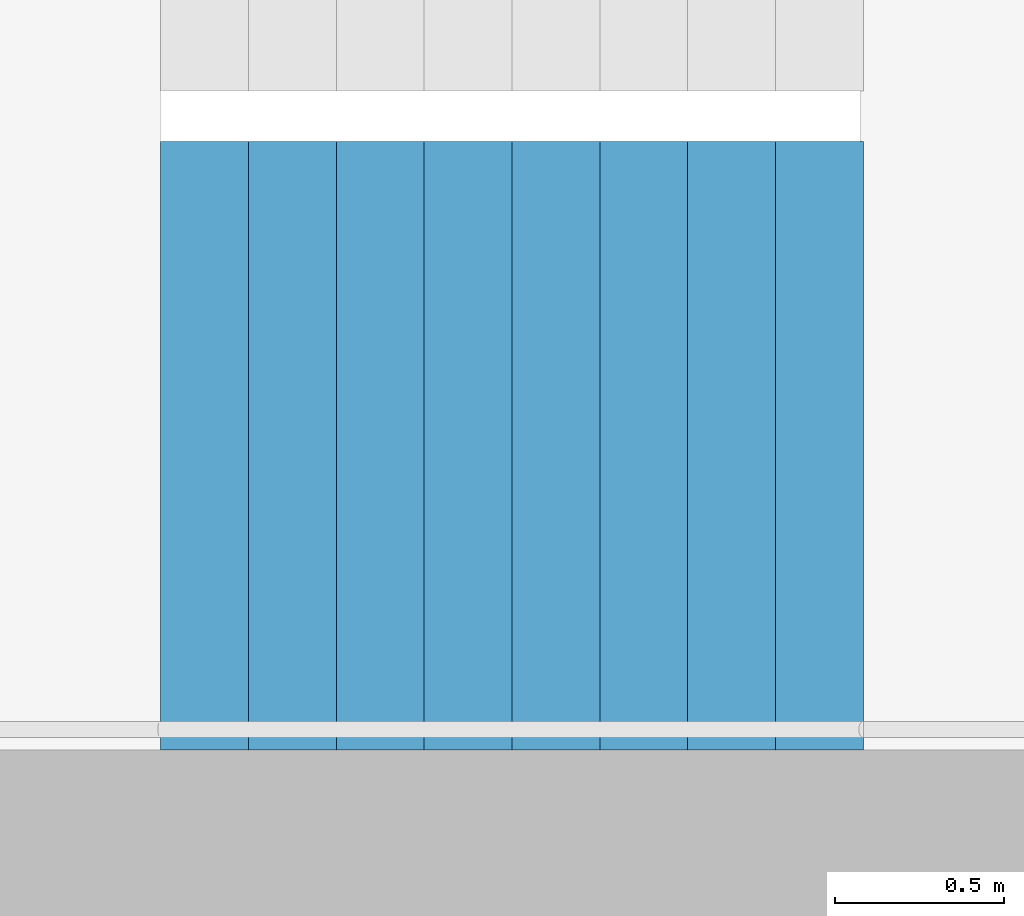
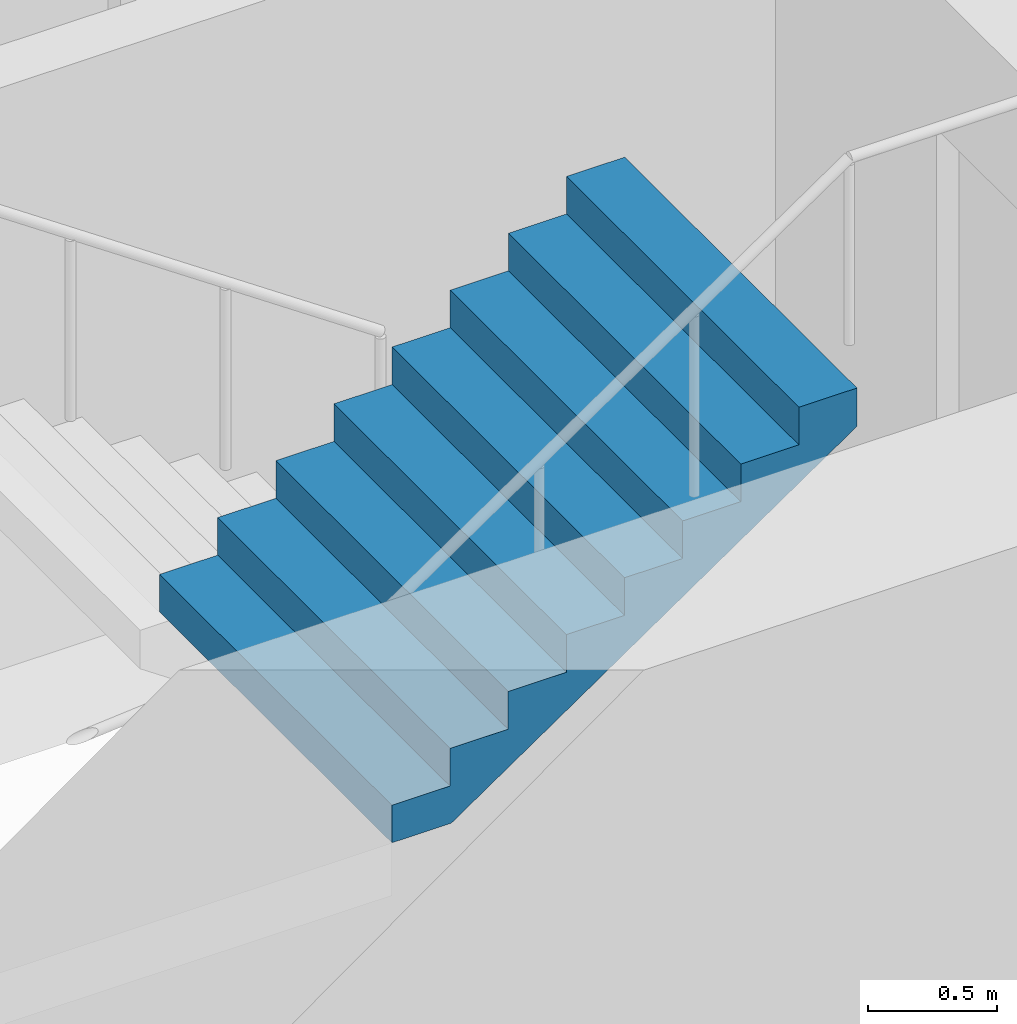
# One storey, part 18 of 26: 1 stair flight, 1 element without a shape of its own.
"""IFC4 building model written with IfcOpenShell, lengths in metres."""

from ifc_helpers import new_model, si_unit, direction, frame, origin, place, context, subcontext, project, spatial, triangles, material, type_object, element, aggregate, save


model = new_model("IFC4")

# Units and contexts
model_context = context("Model", 3, precision=1e-05, world=origin(), true_north=direction((0.0, 1.0)))
body_context = subcontext(model_context, "Body", "Model", "MODEL_VIEW")
ifc_project = project(units=[si_unit("LENGTHUNIT", "METRE"), si_unit("AREAUNIT", "SQUARE_METRE"), si_unit("VOLUMEUNIT", "CUBIC_METRE"), si_unit("PLANEANGLEUNIT", "RADIAN"), si_unit("MASSUNIT", "GRAM", prefix="KILO")], contexts=[model_context])

# Site, building, storey
site_placement = place(None, origin())
site = spatial("IfcSite", under=ifc_project, at=site_placement, CompositionType="ELEMENT")
building_placement = place(site_placement, origin())
building = spatial("IfcBuilding", under=site, at=building_placement, Name="Hakoniwa Tower and Hamabe Station Hall", CompositionType="ELEMENT")
storey_placement = place(building_placement, frame((0.0, 0.0, 153.39990234375)))
storey = spatial("IfcBuildingStorey", under=building, at=storey_placement, Name="L43", CompositionType="ELEMENT", Elevation=153.39990234375)

# Stair, stair flight
ifc_material_1 = material(Name="Concrete C40", Category="concrete")
stair_type = type_object("IfcStairType", Name="ESCAPE STAIR 1800", PredefinedType="HALF_TURN_STAIR", material=ifc_material_1)
stair_placement = place(storey_placement, origin())
stair = element("IfcStair", 1, at=stair_placement, inside=storey, type_object=stair_type, Name="Escape stair ST-2 L43", PredefinedType="HALF_TURN_STAIR")
ifc_material_2 = material(Name="Concrete C40", Category="concrete")
stair_flight_type = type_object("IfcStairFlightType", Name="STAIR FLIGHT 1800", PredefinedType="STRAIGHT", material=ifc_material_2)
stair_flight_placement = place(storey_placement, frame((-25.47998046875, -6.60009765625, 1.60009765625), z_axis=(0.0, 0.0, 1.0), x_axis=(1.0, 0.0, 0.0)))
stair_flight = element("IfcStairFlight", 2, at=stair_flight_placement, type_object=stair_flight_type, Name="ST-2 flight 2", NumberOfRisers=9, NumberOfTreads=8, PredefinedType="STRAIGHT", RiserHeight=0.177777778, TreadLength=0.26, context=body_context, shape_type="Tessellation", body=[
    triangles([(0.0, 0.89990234375, 0.0), (0.260009765625, 0.89990234375, 0.0), (0.265625, 0.89990234375, 0.0), (0.52001953125, 0.89990234375, 0.174072265625), (0.780029296875, 0.89990234375, 0.351806640625), (1.0400390625, 0.89990234375, 0.529541015625), (1.300048828125, 0.89990234375, 0.707275390625), (1.56005859375, 0.89990234375, 0.885009765625), (1.820068359375, 0.89990234375, 1.062744140625), (2.080078125, 0.89990234375, 1.24072265625), (2.080078125, 0.89990234375, 1.422119140625), (1.820068359375, 0.89990234375, 1.422119140625), (1.820068359375, 0.89990234375, 1.244384765625), (1.56005859375, 0.89990234375, 1.244384765625), (1.56005859375, 0.89990234375, 1.066650390625), (1.300048828125, 0.89990234375, 1.066650390625), (1.300048828125, 0.89990234375, 0.888916015625), (1.0400390625, 0.89990234375, 0.888916015625), (1.0400390625, 0.89990234375, 0.711181640625), (0.780029296875, 0.89990234375, 0.711181640625), (0.780029296875, 0.89990234375, 0.533447265625), (0.52001953125, 0.89990234375, 0.533447265625), (0.52001953125, 0.89990234375, 0.35546875), (0.265625, 0.89990234375, 0.35546875), (0.260009765625, 0.89990234375, 0.35546875), (0.260009765625, 0.89990234375, 0.177734375), (0.0, 0.89990234375, 0.177734375), (0.0, 0.06005859375, 0.0), (0.260009765625, 0.06005859375, 0.0), (0.265625, 0.06005859375, 0.0), (0.52001953125, 0.06005859375, 0.174072265625), (0.780029296875, 0.06005859375, 0.351806640625), (1.0400390625, 0.06005859375, 0.529541015625), (1.300048828125, 0.06005859375, 0.707275390625), (1.56005859375, 0.06005859375, 0.885009765625), (1.820068359375, 0.06005859375, 1.062744140625), (2.080078125, 0.06005859375, 1.24072265625), (2.080078125, 0.06005859375, 1.422119140625), (1.820068359375, 0.06005859375, 1.422119140625), (1.820068359375, 0.06005859375, 1.244384765625), (1.56005859375, 0.06005859375, 1.244384765625), (1.56005859375, 0.06005859375, 1.066650390625), (1.300048828125, 0.06005859375, 1.066650390625), (1.300048828125, 0.06005859375, 0.888916015625), (1.0400390625, 0.06005859375, 0.888916015625), (1.0400390625, 0.06005859375, 0.711181640625), (0.780029296875, 0.06005859375, 0.711181640625), (0.780029296875, 0.06005859375, 0.533447265625), (0.52001953125, 0.06005859375, 0.533447265625), (0.52001953125, 0.06005859375, 0.35546875), (0.265625, 0.06005859375, 0.35546875), (0.260009765625, 0.06005859375, 0.35546875), (0.260009765625, 0.06005859375, 0.177734375), (0.0, 0.06005859375, 0.177734375), (0.0, 0.04296875, 0.0), (0.260009765625, 0.04296875, 0.0), (0.265625, 0.04296875, 0.0), (0.52001953125, 0.04296875, 0.174072265625), (0.780029296875, 0.04296875, 0.351806640625), (1.0400390625, 0.04296875, 0.529541015625), (1.300048828125, 0.04296875, 0.707275390625), (1.56005859375, 0.04296875, 0.885009765625), (1.820068359375, 0.04296875, 1.062744140625), (2.080078125, 0.04296875, 1.24072265625), (2.080078125, 0.04296875, 1.422119140625), (1.820068359375, 0.04296875, 1.422119140625), (1.820068359375, 0.04296875, 1.244384765625), (1.56005859375, 0.04296875, 1.244384765625), (1.56005859375, 0.04296875, 1.066650390625), (1.300048828125, 0.04296875, 1.066650390625), (1.300048828125, 0.04296875, 0.888916015625), (1.0400390625, 0.04296875, 0.888916015625), (1.0400390625, 0.04296875, 0.711181640625), (0.780029296875, 0.04296875, 0.711181640625), (0.780029296875, 0.04296875, 0.533447265625), (0.52001953125, 0.04296875, 0.533447265625), (0.52001953125, 0.04296875, 0.35546875), (0.265625, 0.04296875, 0.35546875), (0.260009765625, 0.04296875, 0.35546875), (0.260009765625, 0.04296875, 0.177734375), (0.0, 0.04296875, 0.177734375), (0.0, 0.025634765625, 0.0), (0.260009765625, 0.025634765625, 0.0), (0.265625, 0.025634765625, 0.0), (0.52001953125, 0.025634765625, 0.174072265625), (0.780029296875, 0.025634765625, 0.351806640625), (1.0400390625, 0.025634765625, 0.529541015625), (1.300048828125, 0.025634765625, 0.707275390625), (1.56005859375, 0.025634765625, 0.885009765625), (1.820068359375, 0.025634765625, 1.062744140625), (2.080078125, 0.025634765625, 1.24072265625), (2.080078125, 0.025634765625, 1.422119140625), (1.820068359375, 0.025634765625, 1.422119140625), (1.820068359375, 0.025634765625, 1.244384765625), (1.56005859375, 0.025634765625, 1.244384765625), (1.56005859375, 0.025634765625, 1.066650390625), (1.300048828125, 0.025634765625, 1.066650390625), (1.300048828125, 0.025634765625, 0.888916015625), (1.0400390625, 0.025634765625, 0.888916015625), (1.0400390625, 0.025634765625, 0.711181640625), (0.780029296875, 0.025634765625, 0.711181640625), (0.780029296875, 0.025634765625, 0.533447265625), (0.52001953125, 0.025634765625, 0.533447265625), (0.52001953125, 0.025634765625, 0.35546875), (0.265625, 0.025634765625, 0.35546875), (0.260009765625, 0.025634765625, 0.35546875), (0.260009765625, 0.025634765625, 0.177734375), (0.0, 0.025634765625, 0.177734375), (0.0, 0.008544921875, 0.0), (0.260009765625, 0.008544921875, 0.0), (0.265625, 0.008544921875, 0.0), (0.52001953125, 0.008544921875, 0.174072265625), (0.780029296875, 0.008544921875, 0.351806640625), (1.0400390625, 0.008544921875, 0.529541015625), (1.300048828125, 0.008544921875, 0.707275390625), (1.56005859375, 0.008544921875, 0.885009765625), (1.820068359375, 0.008544921875, 1.062744140625), (2.080078125, 0.008544921875, 1.24072265625), (2.080078125, 0.008544921875, 1.422119140625), (1.820068359375, 0.008544921875, 1.422119140625), (1.820068359375, 0.008544921875, 1.244384765625), (1.56005859375, 0.008544921875, 1.244384765625), (1.56005859375, 0.008544921875, 1.066650390625), (1.300048828125, 0.008544921875, 1.066650390625), (1.300048828125, 0.008544921875, 0.888916015625), (1.0400390625, 0.008544921875, 0.888916015625), (1.0400390625, 0.008544921875, 0.711181640625), (0.780029296875, 0.008544921875, 0.711181640625), (0.780029296875, 0.008544921875, 0.533447265625), (0.52001953125, 0.008544921875, 0.533447265625), (0.52001953125, 0.008544921875, 0.35546875), (0.265625, 0.008544921875, 0.35546875), (0.260009765625, 0.008544921875, 0.35546875), (0.260009765625, 0.008544921875, 0.177734375), (0.0, 0.008544921875, 0.177734375), (0.0, -0.008544921875, 0.0), (0.260009765625, -0.008544921875, 0.0), (0.265625, -0.008544921875, 0.0), (0.52001953125, -0.008544921875, 0.174072265625), (0.780029296875, -0.008544921875, 0.351806640625), (1.0400390625, -0.008544921875, 0.529541015625), (1.300048828125, -0.008544921875, 0.707275390625), (1.56005859375, -0.008544921875, 0.885009765625), (1.820068359375, -0.008544921875, 1.062744140625), (2.080078125, -0.008544921875, 1.24072265625), (2.080078125, -0.008544921875, 1.422119140625), (1.820068359375, -0.008544921875, 1.422119140625), (1.820068359375, -0.008544921875, 1.244384765625), (1.56005859375, -0.008544921875, 1.244384765625), (1.56005859375, -0.008544921875, 1.066650390625), (1.300048828125, -0.008544921875, 1.066650390625), (1.300048828125, -0.008544921875, 0.888916015625), (1.0400390625, -0.008544921875, 0.888916015625), (1.0400390625, -0.008544921875, 0.711181640625), (0.780029296875, -0.008544921875, 0.711181640625), (0.780029296875, -0.008544921875, 0.533447265625), (0.52001953125, -0.008544921875, 0.533447265625), (0.52001953125, -0.008544921875, 0.35546875), (0.265625, -0.008544921875, 0.35546875), (0.260009765625, -0.008544921875, 0.35546875), (0.260009765625, -0.008544921875, 0.177734375), (0.0, -0.008544921875, 0.177734375), (0.0, -0.025634765625, 0.0), (0.260009765625, -0.025634765625, 0.0), (0.265625, -0.025634765625, 0.0), (0.52001953125, -0.025634765625, 0.174072265625), (0.780029296875, -0.025634765625, 0.351806640625), (1.0400390625, -0.025634765625, 0.529541015625), (1.300048828125, -0.025634765625, 0.707275390625), (1.56005859375, -0.025634765625, 0.885009765625), (1.820068359375, -0.025634765625, 1.062744140625), (2.080078125, -0.025634765625, 1.24072265625), (2.080078125, -0.025634765625, 1.422119140625), (1.820068359375, -0.025634765625, 1.422119140625), (1.820068359375, -0.025634765625, 1.244384765625), (1.56005859375, -0.025634765625, 1.244384765625), (1.56005859375, -0.025634765625, 1.066650390625), (1.300048828125, -0.025634765625, 1.066650390625), (1.300048828125, -0.025634765625, 0.888916015625), (1.0400390625, -0.025634765625, 0.888916015625), (1.0400390625, -0.025634765625, 0.711181640625), (0.780029296875, -0.025634765625, 0.711181640625), (0.780029296875, -0.025634765625, 0.533447265625), (0.52001953125, -0.025634765625, 0.533447265625), (0.52001953125, -0.025634765625, 0.35546875), (0.265625, -0.025634765625, 0.35546875), (0.260009765625, -0.025634765625, 0.35546875), (0.260009765625, -0.025634765625, 0.177734375), (0.0, -0.025634765625, 0.177734375), (0.0, -0.04296875, 0.0), (0.260009765625, -0.04296875, 0.0), (0.265625, -0.04296875, 0.0), (0.52001953125, -0.04296875, 0.174072265625), (0.780029296875, -0.04296875, 0.351806640625), (1.0400390625, -0.04296875, 0.529541015625), (1.300048828125, -0.04296875, 0.707275390625), (1.56005859375, -0.04296875, 0.885009765625), (1.820068359375, -0.04296875, 1.062744140625), (2.080078125, -0.04296875, 1.24072265625), (2.080078125, -0.04296875, 1.422119140625), (1.820068359375, -0.04296875, 1.422119140625), (1.820068359375, -0.04296875, 1.244384765625), (1.56005859375, -0.04296875, 1.244384765625), (1.56005859375, -0.04296875, 1.066650390625), (1.300048828125, -0.04296875, 1.066650390625), (1.300048828125, -0.04296875, 0.888916015625), (1.0400390625, -0.04296875, 0.888916015625), (1.0400390625, -0.04296875, 0.711181640625), (0.780029296875, -0.04296875, 0.711181640625), (0.780029296875, -0.04296875, 0.533447265625), (0.52001953125, -0.04296875, 0.533447265625), (0.52001953125, -0.04296875, 0.35546875), (0.265625, -0.04296875, 0.35546875), (0.260009765625, -0.04296875, 0.35546875), (0.260009765625, -0.04296875, 0.177734375), (0.0, -0.04296875, 0.177734375), (0.0, -0.06005859375, 0.0), (0.260009765625, -0.06005859375, 0.0), (0.265625, -0.06005859375, 0.0), (0.52001953125, -0.06005859375, 0.174072265625), (0.780029296875, -0.06005859375, 0.351806640625), (1.0400390625, -0.06005859375, 0.529541015625), (1.300048828125, -0.06005859375, 0.707275390625), (1.56005859375, -0.06005859375, 0.885009765625), (1.820068359375, -0.06005859375, 1.062744140625), (2.080078125, -0.06005859375, 1.24072265625), (2.080078125, -0.06005859375, 1.422119140625), (1.820068359375, -0.06005859375, 1.422119140625), (1.820068359375, -0.06005859375, 1.244384765625), (1.56005859375, -0.06005859375, 1.244384765625), (1.56005859375, -0.06005859375, 1.066650390625), (1.300048828125, -0.06005859375, 1.066650390625), (1.300048828125, -0.06005859375, 0.888916015625), (1.0400390625, -0.06005859375, 0.888916015625), (1.0400390625, -0.06005859375, 0.711181640625), (0.780029296875, -0.06005859375, 0.711181640625), (0.780029296875, -0.06005859375, 0.533447265625), (0.52001953125, -0.06005859375, 0.533447265625), (0.52001953125, -0.06005859375, 0.35546875), (0.265625, -0.06005859375, 0.35546875), (0.260009765625, -0.06005859375, 0.35546875), (0.260009765625, -0.06005859375, 0.177734375), (0.0, -0.06005859375, 0.177734375), (0.0, -0.89990234375, 0.0), (0.260009765625, -0.89990234375, 0.0), (0.265625, -0.89990234375, 0.0), (0.52001953125, -0.89990234375, 0.174072265625), (0.780029296875, -0.89990234375, 0.351806640625), (1.0400390625, -0.89990234375, 0.529541015625), (1.300048828125, -0.89990234375, 0.707275390625), (1.56005859375, -0.89990234375, 0.885009765625), (1.820068359375, -0.89990234375, 1.062744140625), (2.080078125, -0.89990234375, 1.24072265625), (2.080078125, -0.89990234375, 1.422119140625), (1.820068359375, -0.89990234375, 1.422119140625), (1.820068359375, -0.89990234375, 1.244384765625), (1.56005859375, -0.89990234375, 1.244384765625), (1.56005859375, -0.89990234375, 1.066650390625), (1.300048828125, -0.89990234375, 1.066650390625), (1.300048828125, -0.89990234375, 0.888916015625), (1.0400390625, -0.89990234375, 0.888916015625), (1.0400390625, -0.89990234375, 0.711181640625), (0.780029296875, -0.89990234375, 0.711181640625), (0.780029296875, -0.89990234375, 0.533447265625), (0.52001953125, -0.89990234375, 0.533447265625), (0.52001953125, -0.89990234375, 0.35546875), (0.265625, -0.89990234375, 0.35546875), (0.260009765625, -0.89990234375, 0.35546875), (0.260009765625, -0.89990234375, 0.177734375), (0.0, -0.89990234375, 0.177734375)], [[2, 27, 26], [245, 269, 270], [2, 1, 27], [245, 270, 244], [3, 25, 24], [246, 267, 268], [3, 26, 25], [246, 268, 269], [3, 2, 26], [246, 269, 245], [4, 24, 23], [247, 266, 267], [4, 3, 24], [247, 267, 246], [5, 22, 21], [248, 264, 265], [5, 23, 22], [248, 265, 266], [5, 4, 23], [248, 266, 247], [6, 20, 19], [249, 262, 263], [6, 21, 20], [249, 263, 264], [6, 5, 21], [249, 264, 248], [7, 18, 17], [250, 260, 261], [7, 19, 18], [250, 261, 262], [7, 6, 19], [250, 262, 249], [8, 16, 15], [251, 258, 259], [8, 17, 16], [251, 259, 260], [8, 7, 17], [251, 260, 250], [9, 14, 13], [252, 256, 257], [9, 15, 14], [252, 257, 258], [9, 8, 15], [252, 258, 251], [10, 12, 11], [253, 254, 255], [10, 13, 12], [253, 255, 256], [10, 9, 13], [253, 256, 252], [1, 2, 29], [1, 29, 28], [28, 29, 56], [28, 56, 55], [55, 56, 83], [55, 83, 82], [82, 83, 110], [82, 110, 109], [109, 110, 137], [109, 137, 136], [136, 137, 164], [136, 164, 163], [163, 164, 191], [163, 191, 190], [190, 191, 218], [190, 218, 217], [217, 218, 245], [217, 245, 244], [2, 3, 30], [2, 30, 29], [29, 30, 57], [29, 57, 56], [56, 57, 84], [56, 84, 83], [83, 84, 111], [83, 111, 110], [110, 111, 138], [110, 138, 137], [137, 138, 165], [137, 165, 164], [164, 165, 192], [164, 192, 191], [191, 192, 219], [191, 219, 218], [218, 219, 246], [218, 246, 245], [3, 4, 31], [3, 31, 30], [30, 31, 58], [30, 58, 57], [57, 58, 85], [57, 85, 84], [84, 85, 112], [84, 112, 111], [111, 112, 139], [111, 139, 138], [138, 139, 166], [138, 166, 165], [165, 166, 193], [165, 193, 192], [192, 193, 220], [192, 220, 219], [219, 220, 247], [219, 247, 246], [4, 5, 32], [4, 32, 31], [31, 32, 59], [31, 59, 58], [58, 59, 86], [58, 86, 85], [85, 86, 113], [85, 113, 112], [112, 113, 140], [112, 140, 139], [139, 140, 167], [139, 167, 166], [166, 167, 194], [166, 194, 193], [193, 194, 221], [193, 221, 220], [220, 221, 248], [220, 248, 247], [5, 6, 33], [5, 33, 32], [32, 33, 60], [32, 60, 59], [59, 60, 87], [59, 87, 86], [86, 87, 114], [86, 114, 113], [113, 114, 141], [113, 141, 140], [140, 141, 168], [140, 168, 167], [167, 168, 195], [167, 195, 194], [194, 195, 222], [194, 222, 221], [221, 222, 249], [221, 249, 248], [6, 7, 34], [6, 34, 33], [33, 34, 61], [33, 61, 60], [60, 61, 88], [60, 88, 87], [87, 88, 115], [87, 115, 114], [114, 115, 142], [114, 142, 141], [141, 142, 169], [141, 169, 168], [168, 169, 196], [168, 196, 195], [195, 196, 223], [195, 223, 222], [222, 223, 250], [222, 250, 249], [7, 8, 35], [7, 35, 34], [34, 35, 62], [34, 62, 61], [61, 62, 89], [61, 89, 88], [88, 89, 116], [88, 116, 115], [115, 116, 143], [115, 143, 142], [142, 143, 170], [142, 170, 169], [169, 170, 197], [169, 197, 196], [196, 197, 224], [196, 224, 223], [223, 224, 251], [223, 251, 250], [8, 9, 36], [8, 36, 35], [35, 36, 63], [35, 63, 62], [62, 63, 90], [62, 90, 89], [89, 90, 117], [89, 117, 116], [116, 117, 144], [116, 144, 143], [143, 144, 171], [143, 171, 170], [170, 171, 198], [170, 198, 197], [197, 198, 225], [197, 225, 224], [224, 225, 252], [224, 252, 251], [9, 10, 37], [9, 37, 36], [36, 37, 64], [36, 64, 63], [63, 64, 91], [63, 91, 90], [90, 91, 118], [90, 118, 117], [117, 118, 145], [117, 145, 144], [144, 145, 172], [144, 172, 171], [171, 172, 199], [171, 199, 198], [198, 199, 226], [198, 226, 225], [225, 226, 253], [225, 253, 252], [10, 11, 38], [10, 38, 37], [37, 38, 65], [37, 65, 64], [64, 65, 92], [64, 92, 91], [91, 92, 119], [91, 119, 118], [118, 119, 146], [118, 146, 145], [145, 146, 173], [145, 173, 172], [172, 173, 200], [172, 200, 199], [199, 200, 227], [199, 227, 226], [226, 227, 254], [226, 254, 253], [11, 12, 39], [11, 39, 38], [38, 39, 66], [38, 66, 65], [65, 66, 93], [65, 93, 92], [92, 93, 120], [92, 120, 119], [119, 120, 147], [119, 147, 146], [146, 147, 174], [146, 174, 173], [173, 174, 201], [173, 201, 200], [200, 201, 228], [200, 228, 227], [227, 228, 255], [227, 255, 254], [12, 13, 40], [12, 40, 39], [39, 40, 67], [39, 67, 66], [66, 67, 94], [66, 94, 93], [93, 94, 121], [93, 121, 120], [120, 121, 148], [120, 148, 147], [147, 148, 175], [147, 175, 174], [174, 175, 202], [174, 202, 201], [201, 202, 229], [201, 229, 228], [228, 229, 256], [228, 256, 255], [13, 14, 41], [13, 41, 40], [40, 41, 68], [40, 68, 67], [67, 68, 95], [67, 95, 94], [94, 95, 122], [94, 122, 121], [121, 122, 149], [121, 149, 148], [148, 149, 176], [148, 176, 175], [175, 176, 203], [175, 203, 202], [202, 203, 230], [202, 230, 229], [229, 230, 257], [229, 257, 256], [14, 15, 42], [14, 42, 41], [41, 42, 69], [41, 69, 68], [68, 69, 96], [68, 96, 95], [95, 96, 123], [95, 123, 122], [122, 123, 150], [122, 150, 149], [149, 150, 177], [149, 177, 176], [176, 177, 204], [176, 204, 203], [203, 204, 231], [203, 231, 230], [230, 231, 258], [230, 258, 257], [15, 16, 43], [15, 43, 42], [42, 43, 70], [42, 70, 69], [69, 70, 97], [69, 97, 96], [96, 97, 124], [96, 124, 123], [123, 124, 151], [123, 151, 150], [150, 151, 178], [150, 178, 177], [177, 178, 205], [177, 205, 204], [204, 205, 232], [204, 232, 231], [231, 232, 259], [231, 259, 258], [16, 17, 44], [16, 44, 43], [43, 44, 71], [43, 71, 70], [70, 71, 98], [70, 98, 97], [97, 98, 125], [97, 125, 124], [124, 125, 152], [124, 152, 151], [151, 152, 179], [151, 179, 178], [178, 179, 206], [178, 206, 205], [205, 206, 233], [205, 233, 232], [232, 233, 260], [232, 260, 259], [17, 18, 45], [17, 45, 44], [44, 45, 72], [44, 72, 71], [71, 72, 99], [71, 99, 98], [98, 99, 126], [98, 126, 125], [125, 126, 153], [125, 153, 152], [152, 153, 180], [152, 180, 179], [179, 180, 207], [179, 207, 206], [206, 207, 234], [206, 234, 233], [233, 234, 261], [233, 261, 260], [18, 19, 46], [18, 46, 45], [45, 46, 73], [45, 73, 72], [72, 73, 100], [72, 100, 99], [99, 100, 127], [99, 127, 126], [126, 127, 154], [126, 154, 153], [153, 154, 181], [153, 181, 180], [180, 181, 208], [180, 208, 207], [207, 208, 235], [207, 235, 234], [234, 235, 262], [234, 262, 261], [19, 20, 47], [19, 47, 46], [46, 47, 74], [46, 74, 73], [73, 74, 101], [73, 101, 100], [100, 101, 128], [100, 128, 127], [127, 128, 155], [127, 155, 154], [154, 155, 182], [154, 182, 181], [181, 182, 209], [181, 209, 208], [208, 209, 236], [208, 236, 235], [235, 236, 263], [235, 263, 262], [20, 21, 48], [20, 48, 47], [47, 48, 75], [47, 75, 74], [74, 75, 102], [74, 102, 101], [101, 102, 129], [101, 129, 128], [128, 129, 156], [128, 156, 155], [155, 156, 183], [155, 183, 182], [182, 183, 210], [182, 210, 209], [209, 210, 237], [209, 237, 236], [236, 237, 264], [236, 264, 263], [21, 22, 49], [21, 49, 48], [48, 49, 76], [48, 76, 75], [75, 76, 103], [75, 103, 102], [102, 103, 130], [102, 130, 129], [129, 130, 157], [129, 157, 156], [156, 157, 184], [156, 184, 183], [183, 184, 211], [183, 211, 210], [210, 211, 238], [210, 238, 237], [237, 238, 265], [237, 265, 264], [22, 23, 50], [22, 50, 49], [49, 50, 77], [49, 77, 76], [76, 77, 104], [76, 104, 103], [103, 104, 131], [103, 131, 130], [130, 131, 158], [130, 158, 157], [157, 158, 185], [157, 185, 184], [184, 185, 212], [184, 212, 211], [211, 212, 239], [211, 239, 238], [238, 239, 266], [238, 266, 265], [23, 24, 51], [23, 51, 50], [50, 51, 78], [50, 78, 77], [77, 78, 105], [77, 105, 104], [104, 105, 132], [104, 132, 131], [131, 132, 159], [131, 159, 158], [158, 159, 186], [158, 186, 185], [185, 186, 213], [185, 213, 212], [212, 213, 240], [212, 240, 239], [239, 240, 267], [239, 267, 266], [24, 25, 52], [24, 52, 51], [51, 52, 79], [51, 79, 78], [78, 79, 106], [78, 106, 105], [105, 106, 133], [105, 133, 132], [132, 133, 160], [132, 160, 159], [159, 160, 187], [159, 187, 186], [186, 187, 214], [186, 214, 213], [213, 214, 241], [213, 241, 240], [240, 241, 268], [240, 268, 267], [25, 26, 53], [25, 53, 52], [52, 53, 80], [52, 80, 79], [79, 80, 107], [79, 107, 106], [106, 107, 134], [106, 134, 133], [133, 134, 161], [133, 161, 160], [160, 161, 188], [160, 188, 187], [187, 188, 215], [187, 215, 214], [214, 215, 242], [214, 242, 241], [241, 242, 269], [241, 269, 268], [26, 27, 54], [26, 54, 53], [53, 54, 81], [53, 81, 80], [80, 81, 108], [80, 108, 107], [107, 108, 135], [107, 135, 134], [134, 135, 162], [134, 162, 161], [161, 162, 189], [161, 189, 188], [188, 189, 216], [188, 216, 215], [215, 216, 243], [215, 243, 242], [242, 243, 270], [242, 270, 269], [27, 1, 28], [27, 28, 54], [54, 28, 55], [54, 55, 81], [81, 55, 82], [81, 82, 108], [108, 82, 109], [108, 109, 135], [135, 109, 136], [135, 136, 162], [162, 136, 163], [162, 163, 189], [189, 163, 190], [189, 190, 216], [216, 190, 217], [216, 217, 243], [243, 217, 244], [243, 244, 270]], closed=True),
])
aggregate(stair, [stair_flight])

save(model, "model.ifc")
